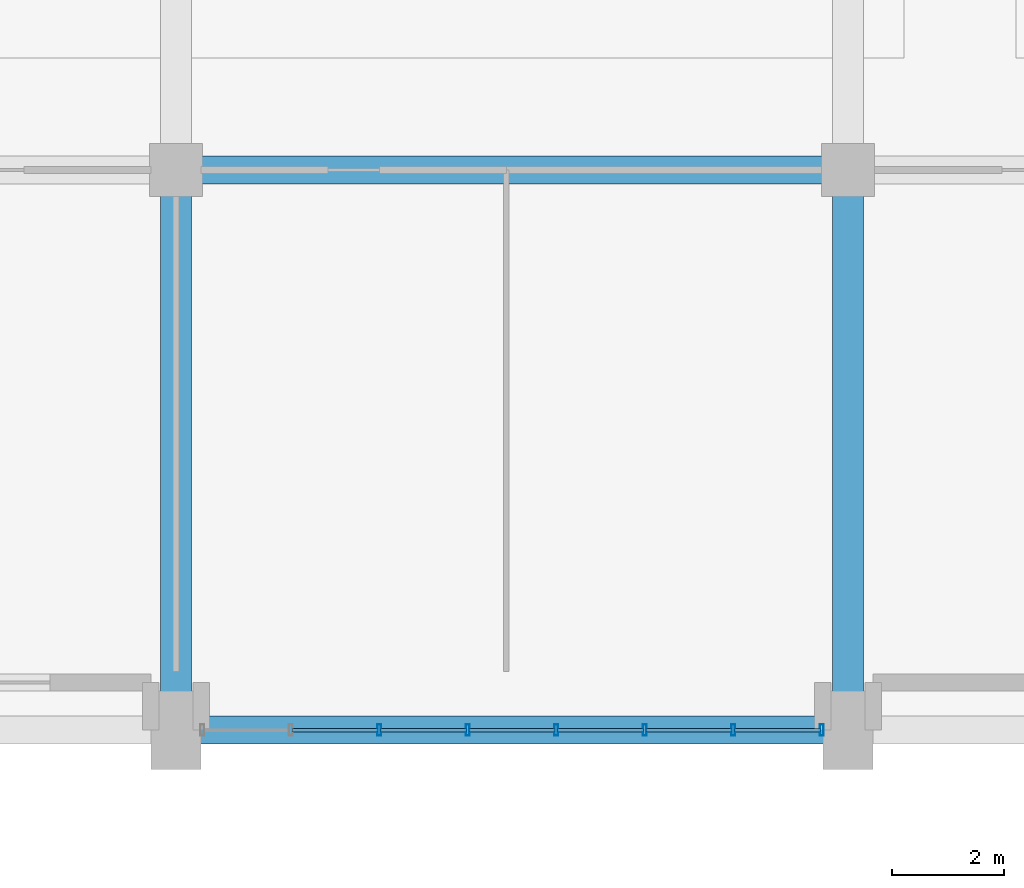
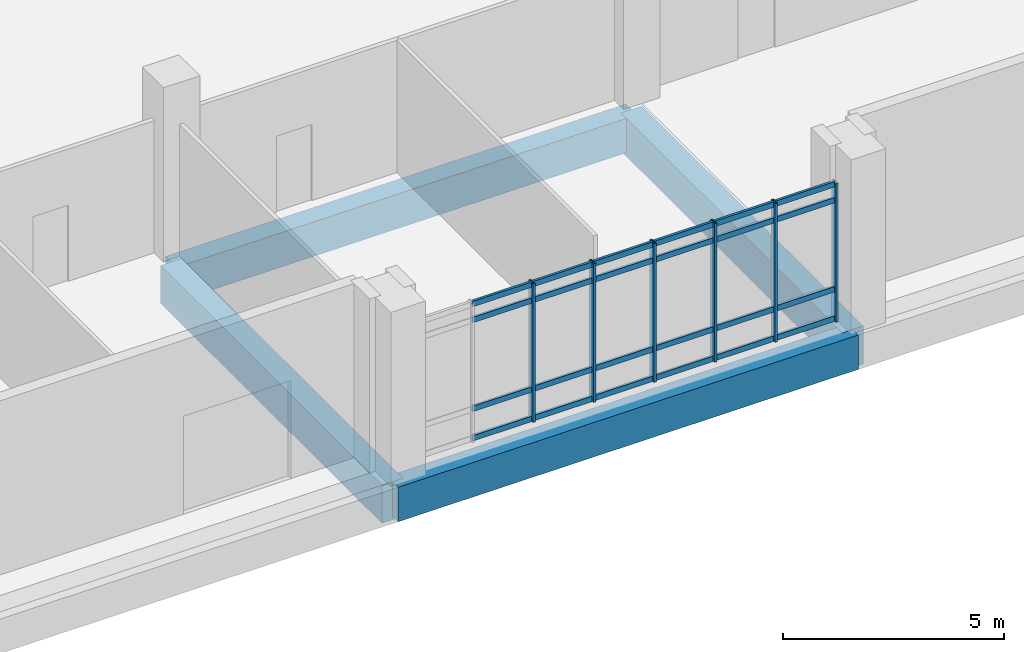
# One storey, part 12 of 87: 30 members, 4 beams, 1 element without a shape of its own.
"""IFC4 building model written with IfcOpenShell, lengths in metres."""

from ifc_helpers import new_model, si_unit, direction, frame, origin, origin_2d, place, context, subcontext, project, spatial, rectangle, hollow_rectangle, extrude, material, layer, layer_set, material_profile, profile_set, type_object, element, aggregate, save


model = new_model("IFC4")

# Units and contexts
model_context = context("Model", 3, precision=1e-05, world=origin(), true_north=direction((0.0, 1.0)))
body_context = subcontext(model_context, "Body", "Model", "MODEL_VIEW")
ifc_project = project(units=[si_unit("LENGTHUNIT", "METRE"), si_unit("AREAUNIT", "SQUARE_METRE"), si_unit("VOLUMEUNIT", "CUBIC_METRE"), si_unit("PLANEANGLEUNIT", "RADIAN"), si_unit("MASSUNIT", "GRAM", prefix="KILO")], contexts=[model_context])

# Site, building, storey
site_placement = place(None, origin())
site = spatial("IfcSite", under=ifc_project, at=site_placement, CompositionType="ELEMENT")
building_placement = place(site_placement, origin())
building = spatial("IfcBuilding", under=site, at=building_placement, Name="Mersad Railyard Sports Hall", CompositionType="ELEMENT")
storey_placement = place(building_placement, origin())
storey = spatial("IfcBuildingStorey", under=building, at=storey_placement, Name="L00", CompositionType="ELEMENT", Elevation=0.0)

# Curtain wall, members
ifc_material_1 = material(Name="Aluminium 6063-T6", Category="aluminium")
ifc_layer = layer(ifc_material_1, 0.199951171875)
ifc_layer_set = layer_set([ifc_layer], Name="Aluminium 6063-T6")
curtain_wall_type = type_object("IfcCurtainWallType", Name="ARC-CW-CW01", PredefinedType="USERDEFINED", material=ifc_layer_set)
curtain_wall_placement = place(storey_placement, origin())
curtain_wall = element("IfcCurtainWall", 1, at=curtain_wall_placement, inside=storey, type_object=curtain_wall_type, Name="Curtain wall CW01-0014", ObjectType="CURTAIN WALL", PredefinedType="USERDEFINED")
ifc_material_profile_1 = material_profile(ifc_material_1, hollow_rectangle(XDim=0.06494140625, YDim=0.199951171875, WallThickness=0.0048828125, at=origin_2d()), Name="AL MULLION 65x200x5")
ifc_profile_set_1 = profile_set([ifc_material_profile_1], Name="Aluminium 6063-T6")
member_type_1 = type_object("IfcMemberType", Name="ARC-CW-MUL02", PredefinedType="MULLION", material=ifc_profile_set_1)
member_1_placement = place(storey_placement, frame((66.530029296875, 3.5, -0.02001953125), z_axis=(0.0, 0.0, 1.0), x_axis=(1.0, 0.0, 0.0)))
member_1 = element("IfcMember", 2, at=member_1_placement, type_object=member_type_1, Name="CW01 Mullion 1", PredefinedType="MULLION", context=body_context, shape_type="SweptSolid", body=[
    extrude(hollow_rectangle(XDim=0.06494140625, YDim=0.199951171875, WallThickness=0.0048828125, at=origin_2d()), origin(), (0.0, 0.0, 1.0), 3.820068359375),
])
member_2_placement = place(storey_placement, frame((64.949951171875, 3.5, -0.02001953125), z_axis=(0.0, 0.0, 1.0), x_axis=(1.0, 0.0, 0.0)))
member_2 = element("IfcMember", 3, at=member_2_placement, type_object=member_type_1, Name="CW01 Mullion 2", PredefinedType="MULLION", context=body_context, shape_type="SweptSolid", body=[
    extrude(hollow_rectangle(XDim=0.06494140625, YDim=0.199951171875, WallThickness=0.0048828125, at=origin_2d()), origin(), (0.0, 0.0, 1.0), 3.820068359375),
])
member_3_placement = place(storey_placement, frame((63.3701171875, 3.5, -0.02001953125), z_axis=(0.0, 0.0, 1.0), x_axis=(1.0, 0.0, 0.0)))
member_3 = element("IfcMember", 4, at=member_3_placement, type_object=member_type_1, Name="CW01 Mullion 3", PredefinedType="MULLION", context=body_context, shape_type="SweptSolid", body=[
    extrude(hollow_rectangle(XDim=0.06494140625, YDim=0.199951171875, WallThickness=0.0048828125, at=origin_2d()), origin(), (0.0, 0.0, 1.0), 3.820068359375),
])
member_4_placement = place(storey_placement, frame((61.7900390625, 3.5, -0.02001953125), z_axis=(0.0, 0.0, 1.0), x_axis=(1.0, 0.0, 0.0)))
member_4 = element("IfcMember", 5, at=member_4_placement, type_object=member_type_1, Name="CW01 Mullion 4", PredefinedType="MULLION", context=body_context, shape_type="SweptSolid", body=[
    extrude(hollow_rectangle(XDim=0.06494140625, YDim=0.199951171875, WallThickness=0.0048828125, at=origin_2d()), origin(), (0.0, 0.0, 1.0), 3.820068359375),
])
member_5_placement = place(storey_placement, frame((60.2099609375, 3.5, -0.02001953125), z_axis=(0.0, 0.0, 1.0), x_axis=(1.0, 0.0, 0.0)))
member_5 = element("IfcMember", 6, at=member_5_placement, type_object=member_type_1, Name="CW01 Mullion 5", PredefinedType="MULLION", context=body_context, shape_type="SweptSolid", body=[
    extrude(hollow_rectangle(XDim=0.06494140625, YDim=0.199951171875, WallThickness=0.0048828125, at=origin_2d()), origin(), (0.0, 0.0, 1.0), 3.820068359375),
])
member_6_placement = place(storey_placement, frame((58.6298828125, 3.5, -0.02001953125), z_axis=(0.0, 0.0, 1.0), x_axis=(1.0, 0.0, 0.0)))
member_6 = element("IfcMember", 7, at=member_6_placement, type_object=member_type_1, Name="CW01 Mullion 6", PredefinedType="MULLION", context=body_context, shape_type="SweptSolid", body=[
    extrude(hollow_rectangle(XDim=0.06494140625, YDim=0.199951171875, WallThickness=0.0048828125, at=origin_2d()), origin(), (0.0, 0.0, 1.0), 3.820068359375),
])
ifc_material_profile_2 = material_profile(ifc_material_1, hollow_rectangle(XDim=0.06494140625, YDim=0.14990234375, WallThickness=0.00439453125, at=origin_2d()), Name="AL TRANSOM 65x150x4.5")
ifc_profile_set_2 = profile_set([ifc_material_profile_2], Name="Aluminium 6063-T6")
member_type_2 = type_object("IfcMemberType", Name="ARC-CW-TRN02", PredefinedType="USERDEFINED", material=ifc_profile_set_2)
member_7_placement = place(storey_placement, frame((66.510009765625, 3.5, 0.0400390625), z_axis=(-1.0, 0.0, 0.0), x_axis=(0.0, -1.0, 0.0)))
member_7 = element("IfcMember", 8, at=member_7_placement, type_object=member_type_2, Name="CW01 Transom 1-1", ObjectType="TRANSOM", PredefinedType="USERDEFINED", context=body_context, shape_type="SweptSolid", body=[
    extrude(hollow_rectangle(XDim=0.06494140625, YDim=0.14990234375, WallThickness=0.00439453125, at=origin_2d()), origin(), (0.0, 0.0, 1.0), 1.5400390625),
])
member_8_placement = place(storey_placement, frame((64.929931640625, 3.5, 0.0400390625), z_axis=(-1.0, 0.0, 0.0), x_axis=(0.0, -1.0, 0.0)))
member_8 = element("IfcMember", 9, at=member_8_placement, type_object=member_type_2, Name="CW01 Transom 1-2", ObjectType="TRANSOM", PredefinedType="USERDEFINED", context=body_context, shape_type="SweptSolid", body=[
    extrude(hollow_rectangle(XDim=0.06494140625, YDim=0.14990234375, WallThickness=0.00439453125, at=origin_2d()), origin(), (0.0, 0.0, 1.0), 1.5400390625),
])
member_9_placement = place(storey_placement, frame((63.35009765625, 3.5, 0.0400390625), z_axis=(-1.0, 0.0, 0.0), x_axis=(0.0, -1.0, 0.0)))
member_9 = element("IfcMember", 10, at=member_9_placement, type_object=member_type_2, Name="CW01 Transom 1-3", ObjectType="TRANSOM", PredefinedType="USERDEFINED", context=body_context, shape_type="SweptSolid", body=[
    extrude(hollow_rectangle(XDim=0.06494140625, YDim=0.14990234375, WallThickness=0.00439453125, at=origin_2d()), origin(), (0.0, 0.0, 1.0), 1.5400390625),
])
member_10_placement = place(storey_placement, frame((61.77001953125, 3.5, 0.0400390625), z_axis=(-1.0, 0.0, 0.0), x_axis=(0.0, -1.0, 0.0)))
member_10 = element("IfcMember", 11, at=member_10_placement, type_object=member_type_2, Name="CW01 Transom 1-4", ObjectType="TRANSOM", PredefinedType="USERDEFINED", context=body_context, shape_type="SweptSolid", body=[
    extrude(hollow_rectangle(XDim=0.06494140625, YDim=0.14990234375, WallThickness=0.00439453125, at=origin_2d()), origin(), (0.0, 0.0, 1.0), 1.5400390625),
])
member_11_placement = place(storey_placement, frame((60.18994140625, 3.5, 0.0400390625), z_axis=(-1.0, 0.0, 0.0), x_axis=(0.0, -1.0, 0.0)))
member_11 = element("IfcMember", 12, at=member_11_placement, type_object=member_type_2, Name="CW01 Transom 1-5", ObjectType="TRANSOM", PredefinedType="USERDEFINED", context=body_context, shape_type="SweptSolid", body=[
    extrude(hollow_rectangle(XDim=0.06494140625, YDim=0.14990234375, WallThickness=0.00439453125, at=origin_2d()), origin(), (0.0, 0.0, 1.0), 1.5400390625),
])
member_12_placement = place(storey_placement, frame((58.610107421875, 3.5, 0.0400390625), z_axis=(-1.0, 0.0, 0.0), x_axis=(0.0, -1.0, 0.0)))
member_12 = element("IfcMember", 13, at=member_12_placement, type_object=member_type_2, Name="CW01 Transom 1-6", ObjectType="TRANSOM", PredefinedType="USERDEFINED", context=body_context, shape_type="SweptSolid", body=[
    extrude(hollow_rectangle(XDim=0.06494140625, YDim=0.14990234375, WallThickness=0.00439453125, at=origin_2d()), origin(), (0.0, 0.0, 1.0), 1.5400390625),
])
member_13_placement = place(storey_placement, frame((66.510009765625, 3.5, 0.85009765625), z_axis=(-1.0, 0.0, 0.0), x_axis=(0.0, -1.0, 0.0)))
member_13 = element("IfcMember", 14, at=member_13_placement, type_object=member_type_2, Name="CW01 Transom 2-1", ObjectType="TRANSOM", PredefinedType="USERDEFINED", context=body_context, shape_type="SweptSolid", body=[
    extrude(hollow_rectangle(XDim=0.06494140625, YDim=0.14990234375, WallThickness=0.00439453125, at=origin_2d()), origin(), (0.0, 0.0, 1.0), 1.5400390625),
])
member_14_placement = place(storey_placement, frame((64.929931640625, 3.5, 0.85009765625), z_axis=(-1.0, 0.0, 0.0), x_axis=(0.0, -1.0, 0.0)))
member_14 = element("IfcMember", 15, at=member_14_placement, type_object=member_type_2, Name="CW01 Transom 2-2", ObjectType="TRANSOM", PredefinedType="USERDEFINED", context=body_context, shape_type="SweptSolid", body=[
    extrude(hollow_rectangle(XDim=0.06494140625, YDim=0.14990234375, WallThickness=0.00439453125, at=origin_2d()), origin(), (0.0, 0.0, 1.0), 1.5400390625),
])
member_15_placement = place(storey_placement, frame((63.35009765625, 3.5, 0.85009765625), z_axis=(-1.0, 0.0, 0.0), x_axis=(0.0, -1.0, 0.0)))
member_15 = element("IfcMember", 16, at=member_15_placement, type_object=member_type_2, Name="CW01 Transom 2-3", ObjectType="TRANSOM", PredefinedType="USERDEFINED", context=body_context, shape_type="SweptSolid", body=[
    extrude(hollow_rectangle(XDim=0.06494140625, YDim=0.14990234375, WallThickness=0.00439453125, at=origin_2d()), origin(), (0.0, 0.0, 1.0), 1.5400390625),
])
member_16_placement = place(storey_placement, frame((61.77001953125, 3.5, 0.85009765625), z_axis=(-1.0, 0.0, 0.0), x_axis=(0.0, -1.0, 0.0)))
member_16 = element("IfcMember", 17, at=member_16_placement, type_object=member_type_2, Name="CW01 Transom 2-4", ObjectType="TRANSOM", PredefinedType="USERDEFINED", context=body_context, shape_type="SweptSolid", body=[
    extrude(hollow_rectangle(XDim=0.06494140625, YDim=0.14990234375, WallThickness=0.00439453125, at=origin_2d()), origin(), (0.0, 0.0, 1.0), 1.5400390625),
])
member_17_placement = place(storey_placement, frame((60.18994140625, 3.5, 0.85009765625), z_axis=(-1.0, 0.0, 0.0), x_axis=(0.0, -1.0, 0.0)))
member_17 = element("IfcMember", 18, at=member_17_placement, type_object=member_type_2, Name="CW01 Transom 2-5", ObjectType="TRANSOM", PredefinedType="USERDEFINED", context=body_context, shape_type="SweptSolid", body=[
    extrude(hollow_rectangle(XDim=0.06494140625, YDim=0.14990234375, WallThickness=0.00439453125, at=origin_2d()), origin(), (0.0, 0.0, 1.0), 1.5400390625),
])
member_18_placement = place(storey_placement, frame((58.610107421875, 3.5, 0.85009765625), z_axis=(-1.0, 0.0, 0.0), x_axis=(0.0, -1.0, 0.0)))
member_18 = element("IfcMember", 19, at=member_18_placement, type_object=member_type_2, Name="CW01 Transom 2-6", ObjectType="TRANSOM", PredefinedType="USERDEFINED", context=body_context, shape_type="SweptSolid", body=[
    extrude(hollow_rectangle(XDim=0.06494140625, YDim=0.14990234375, WallThickness=0.00439453125, at=origin_2d()), origin(), (0.0, 0.0, 1.0), 1.5400390625),
])
member_19_placement = place(storey_placement, frame((66.510009765625, 3.5, 3.300048828125), z_axis=(-1.0, 0.0, 0.0), x_axis=(0.0, -1.0, 0.0)))
member_19 = element("IfcMember", 20, at=member_19_placement, type_object=member_type_2, Name="CW01 Transom 3-1", ObjectType="TRANSOM", PredefinedType="USERDEFINED", context=body_context, shape_type="SweptSolid", body=[
    extrude(hollow_rectangle(XDim=0.06494140625, YDim=0.14990234375, WallThickness=0.00439453125, at=origin_2d()), origin(), (0.0, 0.0, 1.0), 1.5400390625),
])
member_20_placement = place(storey_placement, frame((64.929931640625, 3.5, 3.300048828125), z_axis=(-1.0, 0.0, 0.0), x_axis=(0.0, -1.0, 0.0)))
member_20 = element("IfcMember", 21, at=member_20_placement, type_object=member_type_2, Name="CW01 Transom 3-2", ObjectType="TRANSOM", PredefinedType="USERDEFINED", context=body_context, shape_type="SweptSolid", body=[
    extrude(hollow_rectangle(XDim=0.06494140625, YDim=0.14990234375, WallThickness=0.00439453125, at=origin_2d()), origin(), (0.0, 0.0, 1.0), 1.5400390625),
])
member_21_placement = place(storey_placement, frame((63.35009765625, 3.5, 3.300048828125), z_axis=(-1.0, 0.0, 0.0), x_axis=(0.0, -1.0, 0.0)))
member_21 = element("IfcMember", 22, at=member_21_placement, type_object=member_type_2, Name="CW01 Transom 3-3", ObjectType="TRANSOM", PredefinedType="USERDEFINED", context=body_context, shape_type="SweptSolid", body=[
    extrude(hollow_rectangle(XDim=0.06494140625, YDim=0.14990234375, WallThickness=0.00439453125, at=origin_2d()), origin(), (0.0, 0.0, 1.0), 1.5400390625),
])
member_22_placement = place(storey_placement, frame((61.77001953125, 3.5, 3.300048828125), z_axis=(-1.0, 0.0, 0.0), x_axis=(0.0, -1.0, 0.0)))
member_22 = element("IfcMember", 23, at=member_22_placement, type_object=member_type_2, Name="CW01 Transom 3-4", ObjectType="TRANSOM", PredefinedType="USERDEFINED", context=body_context, shape_type="SweptSolid", body=[
    extrude(hollow_rectangle(XDim=0.06494140625, YDim=0.14990234375, WallThickness=0.00439453125, at=origin_2d()), origin(), (0.0, 0.0, 1.0), 1.5400390625),
])
member_23_placement = place(storey_placement, frame((60.18994140625, 3.5, 3.300048828125), z_axis=(-1.0, 0.0, 0.0), x_axis=(0.0, -1.0, 0.0)))
member_23 = element("IfcMember", 24, at=member_23_placement, type_object=member_type_2, Name="CW01 Transom 3-5", ObjectType="TRANSOM", PredefinedType="USERDEFINED", context=body_context, shape_type="SweptSolid", body=[
    extrude(hollow_rectangle(XDim=0.06494140625, YDim=0.14990234375, WallThickness=0.00439453125, at=origin_2d()), origin(), (0.0, 0.0, 1.0), 1.5400390625),
])
member_24_placement = place(storey_placement, frame((58.610107421875, 3.5, 3.300048828125), z_axis=(-1.0, 0.0, 0.0), x_axis=(0.0, -1.0, 0.0)))
member_24 = element("IfcMember", 25, at=member_24_placement, type_object=member_type_2, Name="CW01 Transom 3-6", ObjectType="TRANSOM", PredefinedType="USERDEFINED", context=body_context, shape_type="SweptSolid", body=[
    extrude(hollow_rectangle(XDim=0.06494140625, YDim=0.14990234375, WallThickness=0.00439453125, at=origin_2d()), origin(), (0.0, 0.0, 1.0), 1.5400390625),
])
member_25_placement = place(storey_placement, frame((66.510009765625, 3.5, 3.739990234375), z_axis=(-1.0, 0.0, 0.0), x_axis=(0.0, -1.0, 0.0)))
member_25 = element("IfcMember", 26, at=member_25_placement, type_object=member_type_2, Name="CW01 Transom 4-1", ObjectType="TRANSOM", PredefinedType="USERDEFINED", context=body_context, shape_type="SweptSolid", body=[
    extrude(hollow_rectangle(XDim=0.06494140625, YDim=0.14990234375, WallThickness=0.00439453125, at=origin_2d()), origin(), (0.0, 0.0, 1.0), 1.5400390625),
])
member_26_placement = place(storey_placement, frame((64.929931640625, 3.5, 3.739990234375), z_axis=(-1.0, 0.0, 0.0), x_axis=(0.0, -1.0, 0.0)))
member_26 = element("IfcMember", 27, at=member_26_placement, type_object=member_type_2, Name="CW01 Transom 4-2", ObjectType="TRANSOM", PredefinedType="USERDEFINED", context=body_context, shape_type="SweptSolid", body=[
    extrude(hollow_rectangle(XDim=0.06494140625, YDim=0.14990234375, WallThickness=0.00439453125, at=origin_2d()), origin(), (0.0, 0.0, 1.0), 1.5400390625),
])
member_27_placement = place(storey_placement, frame((63.35009765625, 3.5, 3.739990234375), z_axis=(-1.0, 0.0, 0.0), x_axis=(0.0, -1.0, 0.0)))
member_27 = element("IfcMember", 28, at=member_27_placement, type_object=member_type_2, Name="CW01 Transom 4-3", ObjectType="TRANSOM", PredefinedType="USERDEFINED", context=body_context, shape_type="SweptSolid", body=[
    extrude(hollow_rectangle(XDim=0.06494140625, YDim=0.14990234375, WallThickness=0.00439453125, at=origin_2d()), origin(), (0.0, 0.0, 1.0), 1.5400390625),
])
member_28_placement = place(storey_placement, frame((61.77001953125, 3.5, 3.739990234375), z_axis=(-1.0, 0.0, 0.0), x_axis=(0.0, -1.0, 0.0)))
member_28 = element("IfcMember", 29, at=member_28_placement, type_object=member_type_2, Name="CW01 Transom 4-4", ObjectType="TRANSOM", PredefinedType="USERDEFINED", context=body_context, shape_type="SweptSolid", body=[
    extrude(hollow_rectangle(XDim=0.06494140625, YDim=0.14990234375, WallThickness=0.00439453125, at=origin_2d()), origin(), (0.0, 0.0, 1.0), 1.5400390625),
])
member_29_placement = place(storey_placement, frame((60.18994140625, 3.5, 3.739990234375), z_axis=(-1.0, 0.0, 0.0), x_axis=(0.0, -1.0, 0.0)))
member_29 = element("IfcMember", 30, at=member_29_placement, type_object=member_type_2, Name="CW01 Transom 4-5", ObjectType="TRANSOM", PredefinedType="USERDEFINED", context=body_context, shape_type="SweptSolid", body=[
    extrude(hollow_rectangle(XDim=0.06494140625, YDim=0.14990234375, WallThickness=0.00439453125, at=origin_2d()), origin(), (0.0, 0.0, 1.0), 1.5400390625),
])
member_30_placement = place(storey_placement, frame((58.610107421875, 3.5, 3.739990234375), z_axis=(-1.0, 0.0, 0.0), x_axis=(0.0, -1.0, 0.0)))
member_30 = element("IfcMember", 31, at=member_30_placement, type_object=member_type_2, Name="CW01 Transom 4-6", ObjectType="TRANSOM", PredefinedType="USERDEFINED", context=body_context, shape_type="SweptSolid", body=[
    extrude(hollow_rectangle(XDim=0.06494140625, YDim=0.14990234375, WallThickness=0.00439453125, at=origin_2d()), origin(), (0.0, 0.0, 1.0), 1.5400390625),
])
aggregate(curtain_wall, [member_1, member_2, member_3, member_4, member_5, member_6, member_7, member_8, member_9, member_10, member_11, member_12, member_13, member_14, member_15, member_16, member_17, member_18, member_19, member_20, member_21, member_22, member_23, member_24, member_25, member_26, member_27, member_28, member_29, member_30])

# Beams
ifc_material_2 = material(Name="Concrete C50/60", Category="concrete")
ifc_material_profile_3 = material_profile(ifc_material_2, rectangle(XDim=0.5, YDim=0.949951171875, at=origin_2d()), Name="RC 500x950")
ifc_profile_set_3 = profile_set([ifc_material_profile_3], Name="Concrete C50/60")
beam_type_1 = type_object("IfcBeamType", Name="STR-BM-B03", PredefinedType="BEAM", material=ifc_profile_set_3)
for number, where, z_axis, x_axis, name in (
    (32, (55.0, 3.5, -0.925048828125), (1.0, 0.0, 0.0), (0.0, 1.0, 0.0), "Beam B03-0005"),
    (33, (55.0, 13.5, -0.925048828125), (1.0, 0.0, 0.0), (0.0, 1.0, 0.0), "Beam B03-0012"),
):
    element("IfcBeam", number, at=place(storey_placement, frame(where, z_axis=z_axis, x_axis=x_axis)), inside=storey, type_object=beam_type_1, Name=name, PredefinedType="BEAM", context=body_context, shape_type="SweptSolid", body=[
        extrude(rectangle(XDim=0.5, YDim=0.949951171875, at=origin_2d()), origin(), (0.0, 0.0, 1.0), 12.0),
    ])
ifc_material_profile_4 = material_profile(ifc_material_2, rectangle(XDim=0.550048828125, YDim=1.050048828125, at=origin_2d()), Name="RC 550x1050")
ifc_profile_set_4 = profile_set([ifc_material_profile_4], Name="Concrete C50/60")
beam_type_2 = type_object("IfcBeamType", Name="STR-BM-B04", PredefinedType="BEAM", material=ifc_profile_set_4)
for number, where, z_axis, x_axis, name in (
    (34, (55.0, 3.5, -0.97509765625), (0.0, 1.0, 0.0), (-1.0, 0.0, 0.0), "Beam B04-0041"),
    (35, (67.0, 3.5, -0.97509765625), (0.0, 1.0, 0.0), (-1.0, 0.0, 0.0), "Beam B04-0044"),
):
    element("IfcBeam", number, at=place(storey_placement, frame(where, z_axis=z_axis, x_axis=x_axis)), inside=storey, type_object=beam_type_2, Name=name, PredefinedType="BEAM", context=body_context, shape_type="SweptSolid", body=[
        extrude(rectangle(XDim=0.550048828125, YDim=1.050048828125, at=origin_2d()), origin(), (0.0, 0.0, 1.0), 10.0),
    ])

save(model, "model.ifc")
